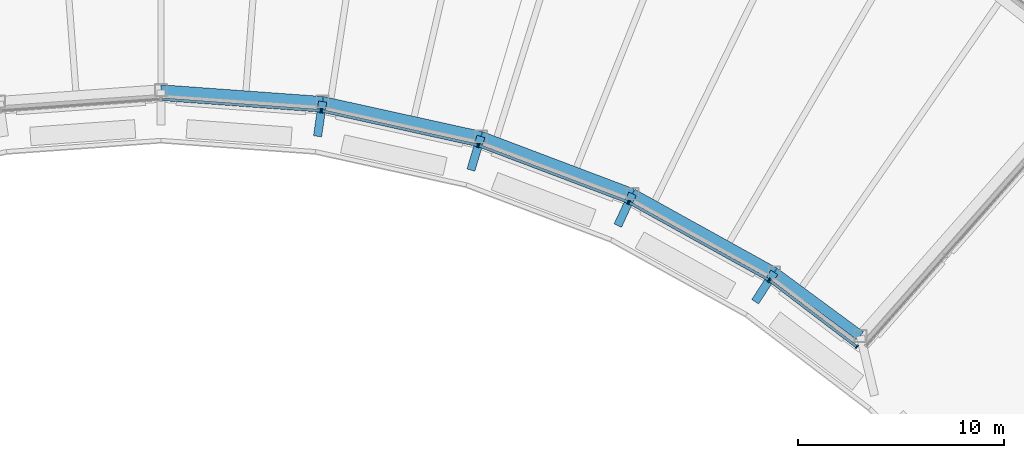
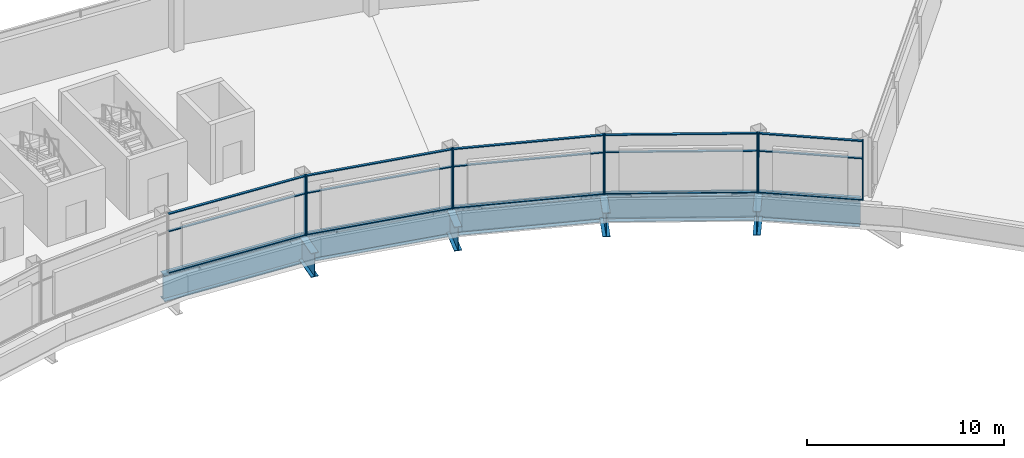
# One storey, part 7 of 17: 24 members, 9 beams, 5 elements without a shape of their own.
"""IFC4 building model written with IfcOpenShell, lengths in metres."""

from ifc_helpers import new_model, si_unit, direction, frame, origin, origin_2d, place, context, subcontext, project, spatial, rectangle, i_section, extrude, material, layer, layer_set, material_profile, profile_set, type_object, element, aggregate, save


model = new_model("IFC4")

# Units and contexts
model_context = context("Model", 3, precision=1e-05, world=origin(), true_north=direction((0.0, 1.0)))
body_context = subcontext(model_context, "Body", "Model", "MODEL_VIEW")
ifc_project = project(units=[si_unit("LENGTHUNIT", "METRE"), si_unit("AREAUNIT", "SQUARE_METRE"), si_unit("VOLUMEUNIT", "CUBIC_METRE"), si_unit("PLANEANGLEUNIT", "RADIAN"), si_unit("MASSUNIT", "GRAM", prefix="KILO")], contexts=[model_context])

# Site, building, storey
site_placement = place(None, origin())
site = spatial("IfcSite", under=ifc_project, at=site_placement, CompositionType="ELEMENT")
building_placement = place(site_placement, origin())
building = spatial("IfcBuilding", under=site, at=building_placement, Name="Tuul Gate Civic Tower", CompositionType="ELEMENT")
storey_placement = place(building_placement, frame((0.0, 0.0, 360.10009765625)))
storey = spatial("IfcBuildingStorey", under=building, at=storey_placement, Name="Crown tier 1 lower", CompositionType="ELEMENT", Elevation=360.10009765625)

# Curtain wall, member
ifc_material_1 = material(Name="Aluminium", Category="aluminium")
ifc_layer = layer(ifc_material_1, 0.199951171875)
ifc_layer_set = layer_set([ifc_layer], Name="Aluminium")
curtain_wall_type = type_object("IfcCurtainWallType", Name="Curtain wall CW5", PredefinedType="NOTDEFINED", material=ifc_layer_set)
curtain_wall_1_placement = place(storey_placement, origin())
curtain_wall_1 = element("IfcCurtainWall", 1, at=curtain_wall_1_placement, inside=storey, type_object=curtain_wall_type, Name="Curtain wall CW5", PredefinedType="NOTDEFINED")
ifc_material_2 = material(Name="Aluminium", Category="aluminium")
ifc_material_profile_1 = material_profile(ifc_material_2, rectangle(XDim=0.199951171875, YDim=0.06005859375, at=origin_2d()), Name="CW5 mullion")
ifc_profile_set_1 = profile_set([ifc_material_profile_1], Name="Aluminium")
member_type_1 = type_object("IfcMemberType", Name="CW5 mullion", PredefinedType="MULLION", material=ifc_profile_set_1)
member_1_placement = place(storey_placement, frame((9.9580078125, -6.536865234375, 0.0), z_axis=(0.0, 0.0, 1.0), x_axis=(0.072283482832, 0.997384127661, 0.0)))
member_1 = element("IfcMember", 2, at=member_1_placement, type_object=member_type_1, Name="Mullion", PredefinedType="MULLION", context=body_context, shape_type="SweptSolid", body=[
    extrude(rectangle(XDim=0.199951171875, YDim=0.06005859375, at=origin_2d()), origin(), (0.0, 0.0, 1.0), 3.699951171875),
])

# Curtain wall, members
curtain_wall_2_placement = place(storey_placement, origin())
curtain_wall_2 = element("IfcCurtainWall", 3, at=curtain_wall_2_placement, inside=storey, type_object=curtain_wall_type, Name="Curtain wall CW5", PredefinedType="NOTDEFINED")
member_2_placement = place(storey_placement, frame((10.017333984375, -6.54541015625, 0.0), z_axis=(0.0, 0.0, 1.0), x_axis=(0.215196143732, 0.976570847262, 0.0)))
member_2 = element("IfcMember", 4, at=member_2_placement, type_object=member_type_1, Name="Mullion", PredefinedType="MULLION", context=body_context, shape_type="SweptSolid", body=[
    extrude(rectangle(XDim=0.199951171875, YDim=0.06005859375, at=origin_2d()), origin(), (0.0, 0.0, 1.0), 3.699951171875),
])
member_3_placement = place(storey_placement, frame((17.591796875, -8.214599609375, 0.0), z_axis=(0.0, 0.0, 1.0), x_axis=(0.215196143732, 0.976570847262, 0.0)))
member_3 = element("IfcMember", 5, at=member_3_placement, type_object=member_type_1, Name="Mullion", PredefinedType="MULLION", context=body_context, shape_type="SweptSolid", body=[
    extrude(rectangle(XDim=0.199951171875, YDim=0.06005859375, at=origin_2d()), origin(), (0.0, 0.0, 1.0), 3.699951171875),
])

curtain_wall_3_placement = place(storey_placement, origin())
curtain_wall_3 = element("IfcCurtainWall", 6, at=curtain_wall_3_placement, inside=storey, type_object=curtain_wall_type, Name="Curtain wall CW5", PredefinedType="NOTDEFINED")
member_4_placement = place(storey_placement, frame((17.649169921875, -8.231689453125, 0.0), z_axis=(0.0, 0.0, 1.0), x_axis=(0.353743883051, 0.935342325143, 0.0)))
member_4 = element("IfcMember", 7, at=member_4_placement, type_object=member_type_1, Name="Mullion", PredefinedType="MULLION", context=body_context, shape_type="SweptSolid", body=[
    extrude(rectangle(XDim=0.199951171875, YDim=0.06005859375, at=origin_2d()), origin(), (0.0, 0.0, 1.0), 3.699951171875),
])
member_5_placement = place(storey_placement, frame((24.904052734375, -10.975341796875, 0.0), z_axis=(0.0, 0.0, 1.0), x_axis=(0.353743883051, 0.935342325143, 0.0)))
member_5 = element("IfcMember", 8, at=member_5_placement, type_object=member_type_1, Name="Mullion", PredefinedType="MULLION", context=body_context, shape_type="SweptSolid", body=[
    extrude(rectangle(XDim=0.199951171875, YDim=0.06005859375, at=origin_2d()), origin(), (0.0, 0.0, 1.0), 3.699951171875),
])

curtain_wall_4_placement = place(storey_placement, origin())
curtain_wall_4 = element("IfcCurtainWall", 9, at=curtain_wall_4_placement, inside=storey, type_object=curtain_wall_type, Name="Curtain wall CW5", PredefinedType="NOTDEFINED")
member_6_placement = place(storey_placement, frame((24.958251953125, -11.00048828125, 0.0), z_axis=(0.0, 0.0, 1.0), x_axis=(0.484784498431, 0.874633631917, 0.0)))
member_6 = element("IfcMember", 10, at=member_6_placement, type_object=member_type_1, Name="Mullion", PredefinedType="MULLION", context=body_context, shape_type="SweptSolid", body=[
    extrude(rectangle(XDim=0.199951171875, YDim=0.06005859375, at=origin_2d()), origin(), (0.0, 0.0, 1.0), 3.699951171875),
])
member_7_placement = place(storey_placement, frame((31.74169921875, -14.760498046875, 0.0), z_axis=(0.0, 0.0, 1.0), x_axis=(0.484784498431, 0.874633631917, 0.0)))
member_7 = element("IfcMember", 11, at=member_7_placement, type_object=member_type_1, Name="Mullion", PredefinedType="MULLION", context=body_context, shape_type="SweptSolid", body=[
    extrude(rectangle(XDim=0.199951171875, YDim=0.06005859375, at=origin_2d()), origin(), (0.0, 0.0, 1.0), 3.699951171875),
])

curtain_wall_5_placement = place(storey_placement, origin())
curtain_wall_5 = element("IfcCurtainWall", 12, at=curtain_wall_5_placement, inside=storey, type_object=curtain_wall_type, Name="Curtain wall CW5", PredefinedType="NOTDEFINED")
member_8_placement = place(storey_placement, frame((31.791748046875, -14.793212890625, 0.0), z_axis=(0.0, 0.0, 1.0), x_axis=(0.605752057949, 0.79565346998, 0.0)))
member_8 = element("IfcMember", 13, at=member_8_placement, type_object=member_type_1, Name="Mullion", PredefinedType="MULLION", context=body_context, shape_type="SweptSolid", body=[
    extrude(rectangle(XDim=0.199951171875, YDim=0.06005859375, at=origin_2d()), origin(), (0.0, 0.0, 1.0), 3.699951171875),
])
member_9_placement = place(storey_placement, frame((36.026123046875, -18.016845703125, 0.0), z_axis=(0.0, 0.0, 1.0), x_axis=(0.605752057949, 0.79565346998, 0.0)))
member_9 = element("IfcMember", 14, at=member_9_placement, type_object=member_type_1, Name="Mullion", PredefinedType="MULLION", context=body_context, shape_type="SweptSolid", body=[
    extrude(rectangle(XDim=0.199951171875, YDim=0.06005859375, at=origin_2d()), origin(), (0.0, 0.0, 1.0), 3.699951171875),
])

# Member
ifc_material_3 = material(Name="Aluminium", Category="aluminium")
ifc_material_profile_2 = material_profile(ifc_material_3, rectangle(XDim=0.139892578125, YDim=0.06005859375, at=origin_2d()), Name="CW5 transom")
ifc_profile_set_2 = profile_set([ifc_material_profile_2], Name="Aluminium")
member_type_2 = type_object("IfcMemberType", Name="CW5 transom", PredefinedType="USERDEFINED", material=ifc_profile_set_2)
member_10_placement = place(storey_placement, frame((2.251953125, -5.978271484375, 0.02978515625), z_axis=(0.997383437077, -0.072293011039, 0.0), x_axis=(0.072293011039, 0.997383437077, 0.0)))
member_10 = element("IfcMember", 15, at=member_10_placement, type_object=member_type_2, Name="Transom", ObjectType="TRANSOM", PredefinedType="USERDEFINED", context=body_context, shape_type="SweptSolid", body=[
    extrude(rectangle(XDim=0.139892578125, YDim=0.06005859375, at=origin_2d()), origin(), (0.0, 0.0, 1.0), 7.6962890625),
])

member_11_placement = place(storey_placement, frame((2.251953125, -5.978271484375, 2.599853515625), z_axis=(0.997383437077, -0.072293011039, 0.0), x_axis=(0.072293011039, 0.997383437077, 0.0)))
member_11 = element("IfcMember", 16, at=member_11_placement, type_object=member_type_2, Name="Transom", ObjectType="TRANSOM", PredefinedType="USERDEFINED", context=body_context, shape_type="SweptSolid", body=[
    extrude(rectangle(XDim=0.139892578125, YDim=0.06005859375, at=origin_2d()), origin(), (0.0, 0.0, 1.0), 7.6962890625),
])

member_12_placement = place(storey_placement, frame((2.251953125, -5.978271484375, 3.669921875), z_axis=(0.997383437077, -0.072293011039, 0.0), x_axis=(0.072293011039, 0.997383437077, 0.0)))
member_12 = element("IfcMember", 17, at=member_12_placement, type_object=member_type_2, Name="Transom", ObjectType="TRANSOM", PredefinedType="USERDEFINED", context=body_context, shape_type="SweptSolid", body=[
    extrude(rectangle(XDim=0.139892578125, YDim=0.06005859375, at=origin_2d()), origin(), (0.0, 0.0, 1.0), 7.6962890625),
])

aggregate(curtain_wall_1, [member_1, member_10, member_11, member_12])

member_13_placement = place(storey_placement, frame((10.046630859375, -6.552001953125, 0.02978515625), z_axis=(0.976575852415, -0.215173428843, 0.0), x_axis=(0.215173428843, 0.976575852415, 0.0)))
member_13 = element("IfcMember", 18, at=member_13_placement, type_object=member_type_2, Name="Transom", ObjectType="TRANSOM", PredefinedType="USERDEFINED", context=body_context, shape_type="SweptSolid", body=[
    extrude(rectangle(XDim=0.139892578125, YDim=0.06005859375, at=origin_2d()), origin(), (0.0, 0.0, 1.0), 7.696044921875),
])

member_14_placement = place(storey_placement, frame((10.046630859375, -6.552001953125, 2.599853515625), z_axis=(0.976575852415, -0.215173428843, 0.0), x_axis=(0.215173428843, 0.976575852415, 0.0)))
member_14 = element("IfcMember", 19, at=member_14_placement, type_object=member_type_2, Name="Transom", ObjectType="TRANSOM", PredefinedType="USERDEFINED", context=body_context, shape_type="SweptSolid", body=[
    extrude(rectangle(XDim=0.139892578125, YDim=0.06005859375, at=origin_2d()), origin(), (0.0, 0.0, 1.0), 7.696044921875),
])

member_15_placement = place(storey_placement, frame((10.046630859375, -6.552001953125, 3.669921875), z_axis=(0.976575852415, -0.215173428843, 0.0), x_axis=(0.215173428843, 0.976575852415, 0.0)))
member_15 = element("IfcMember", 20, at=member_15_placement, type_object=member_type_2, Name="Transom", ObjectType="TRANSOM", PredefinedType="USERDEFINED", context=body_context, shape_type="SweptSolid", body=[
    extrude(rectangle(XDim=0.139892578125, YDim=0.06005859375, at=origin_2d()), origin(), (0.0, 0.0, 1.0), 7.696044921875),
])

aggregate(curtain_wall_2, [member_2, member_3, member_13, member_14, member_15])

member_16_placement = place(storey_placement, frame((17.677001953125, -8.2421875, 0.02978515625), z_axis=(0.935341295839, -0.353746604646, 0.0), x_axis=(0.353746604646, 0.935341295839, 0.0)))
member_16 = element("IfcMember", 21, at=member_16_placement, type_object=member_type_2, Name="Transom", ObjectType="TRANSOM", PredefinedType="USERDEFINED", context=body_context, shape_type="SweptSolid", body=[
    extrude(rectangle(XDim=0.139892578125, YDim=0.06005859375, at=origin_2d()), origin(), (0.0, 0.0, 1.0), 7.696533203125),
])

member_17_placement = place(storey_placement, frame((17.677001953125, -8.2421875, 2.599853515625), z_axis=(0.935341295839, -0.353746604646, 0.0), x_axis=(0.353746604646, 0.935341295839, 0.0)))
member_17 = element("IfcMember", 22, at=member_17_placement, type_object=member_type_2, Name="Transom", ObjectType="TRANSOM", PredefinedType="USERDEFINED", context=body_context, shape_type="SweptSolid", body=[
    extrude(rectangle(XDim=0.139892578125, YDim=0.06005859375, at=origin_2d()), origin(), (0.0, 0.0, 1.0), 7.696533203125),
])

member_18_placement = place(storey_placement, frame((17.677001953125, -8.2421875, 3.669921875), z_axis=(0.935341295839, -0.353746604646, 0.0), x_axis=(0.353746604646, 0.935341295839, 0.0)))
member_18 = element("IfcMember", 23, at=member_18_placement, type_object=member_type_2, Name="Transom", ObjectType="TRANSOM", PredefinedType="USERDEFINED", context=body_context, shape_type="SweptSolid", body=[
    extrude(rectangle(XDim=0.139892578125, YDim=0.06005859375, at=origin_2d()), origin(), (0.0, 0.0, 1.0), 7.696533203125),
])

aggregate(curtain_wall_3, [member_4, member_5, member_16, member_17, member_18])

member_19_placement = place(storey_placement, frame((24.984375, -11.01513671875, 0.02978515625), z_axis=(0.874644656535, -0.484764607614, 0.0), x_axis=(0.484764607614, 0.874644656535, 0.0)))
member_19 = element("IfcMember", 24, at=member_19_placement, type_object=member_type_2, Name="Transom", ObjectType="TRANSOM", PredefinedType="USERDEFINED", context=body_context, shape_type="SweptSolid", body=[
    extrude(rectangle(XDim=0.139892578125, YDim=0.06005859375, at=origin_2d()), origin(), (0.0, 0.0, 1.0), 7.696044921875),
])

member_20_placement = place(storey_placement, frame((24.984375, -11.01513671875, 2.599853515625), z_axis=(0.874644656535, -0.484764607614, 0.0), x_axis=(0.484764607614, 0.874644656535, 0.0)))
member_20 = element("IfcMember", 25, at=member_20_placement, type_object=member_type_2, Name="Transom", ObjectType="TRANSOM", PredefinedType="USERDEFINED", context=body_context, shape_type="SweptSolid", body=[
    extrude(rectangle(XDim=0.139892578125, YDim=0.06005859375, at=origin_2d()), origin(), (0.0, 0.0, 1.0), 7.696044921875),
])

member_21_placement = place(storey_placement, frame((24.984375, -11.01513671875, 3.669921875), z_axis=(0.874644656535, -0.484764607614, 0.0), x_axis=(0.484764607614, 0.874644656535, 0.0)))
member_21 = element("IfcMember", 26, at=member_21_placement, type_object=member_type_2, Name="Transom", ObjectType="TRANSOM", PredefinedType="USERDEFINED", context=body_context, shape_type="SweptSolid", body=[
    extrude(rectangle(XDim=0.139892578125, YDim=0.06005859375, at=origin_2d()), origin(), (0.0, 0.0, 1.0), 7.696044921875),
])

aggregate(curtain_wall_4, [member_6, member_7, member_19, member_20, member_21])

member_22_placement = place(storey_placement, frame((31.815673828125, -14.811279296875, 0.02978515625), z_axis=(0.795658535859, -0.605745403874, 0.0), x_axis=(0.605745403874, 0.795658535859, 0.0)))
member_22 = element("IfcMember", 27, at=member_22_placement, type_object=member_type_2, Name="Transom", ObjectType="TRANSOM", PredefinedType="USERDEFINED", context=body_context, shape_type="SweptSolid", body=[
    extrude(rectangle(XDim=0.139892578125, YDim=0.06005859375, at=origin_2d()), origin(), (0.0, 0.0, 1.0), 5.26171875),
])

member_23_placement = place(storey_placement, frame((31.815673828125, -14.811279296875, 2.599853515625), z_axis=(0.795658535859, -0.605745403874, 0.0), x_axis=(0.605745403874, 0.795658535859, 0.0)))
member_23 = element("IfcMember", 28, at=member_23_placement, type_object=member_type_2, Name="Transom", ObjectType="TRANSOM", PredefinedType="USERDEFINED", context=body_context, shape_type="SweptSolid", body=[
    extrude(rectangle(XDim=0.139892578125, YDim=0.06005859375, at=origin_2d()), origin(), (0.0, 0.0, 1.0), 5.26171875),
])

member_24_placement = place(storey_placement, frame((31.815673828125, -14.811279296875, 3.669921875), z_axis=(0.795658535859, -0.605745403874, 0.0), x_axis=(0.605745403874, 0.795658535859, 0.0)))
member_24 = element("IfcMember", 29, at=member_24_placement, type_object=member_type_2, Name="Transom", ObjectType="TRANSOM", PredefinedType="USERDEFINED", context=body_context, shape_type="SweptSolid", body=[
    extrude(rectangle(XDim=0.139892578125, YDim=0.06005859375, at=origin_2d()), origin(), (0.0, 0.0, 1.0), 5.26171875),
])

aggregate(curtain_wall_5, [member_8, member_9, member_22, member_23, member_24])

# Beams
ifc_material_4 = material(Name="Steel S355", Category="steel")
ifc_material_profile_3 = material_profile(ifc_material_4, i_section(OverallWidth=0.39990234375, OverallDepth=1.5, WebThickness=0.02490234375, FlangeThickness=0.0400390625, at=origin_2d()), Name="PG1500x400x25x40")
ifc_profile_set_3 = profile_set([ifc_material_profile_3], Name="Steel S355")
beam_type_1 = type_object("IfcBeamType", Name="STR-FLOOR BEAM-PG1500x400x25x40", PredefinedType="BEAM", material=ifc_profile_set_3)
beam_1_placement = place(storey_placement, frame((9.80712890625, -7.780029296875, -1.050048828125), z_axis=(0.144125871942, 0.989559363069, 0.0), x_axis=(-0.989559363069, 0.144125871942, 0.0)))
element("IfcBeam", 30, at=beam_1_placement, inside=storey, type_object=beam_type_1, Name="Ring girder stub", PredefinedType="BEAM", context=body_context, shape_type="SweptSolid", body=[
    extrude(i_section(OverallWidth=0.39990234375, OverallDepth=1.5, WebThickness=0.02490234375, FlangeThickness=0.0400390625, at=origin_2d()), origin(), (0.0, 0.0, 1.0), 1.705810546875),
])
beam_2_placement = place(storey_placement, frame((17.263671875, -9.42236328125, -1.050048828125), z_axis=(0.285219145834, 0.958462330428, 0.0), x_axis=(-0.958462330428, 0.285219145834, 0.0)))
element("IfcBeam", 31, at=beam_2_placement, inside=storey, type_object=beam_type_1, Name="Ring girder stub", PredefinedType="BEAM", context=body_context, shape_type="SweptSolid", body=[
    extrude(i_section(OverallWidth=0.39990234375, OverallDepth=1.5, WebThickness=0.02490234375, FlangeThickness=0.0400390625, at=origin_2d()), origin(), (0.0, 0.0, 1.0), 1.705078125),
])
beam_3_placement = place(storey_placement, frame((24.405029296875, -12.123779296875, -1.050048828125), z_axis=(0.420337445241, 0.907367859321, 0.0), x_axis=(-0.907367859321, 0.420337445241, 0.0)))
element("IfcBeam", 32, at=beam_3_placement, inside=storey, type_object=beam_type_1, Name="Ring girder stub", PredefinedType="BEAM", context=body_context, shape_type="SweptSolid", body=[
    extrude(i_section(OverallWidth=0.39990234375, OverallDepth=1.5, WebThickness=0.02490234375, FlangeThickness=0.0400390625, at=origin_2d()), origin(), (0.0, 0.0, 1.0), 1.705810546875),
])
beam_4_placement = place(storey_placement, frame((31.0830078125, -15.82470703125, -1.050048828125), z_axis=(0.546577873779, 0.837408280288, 0.0), x_axis=(-0.837408280288, 0.546577873779, 0.0)))
element("IfcBeam", 33, at=beam_4_placement, inside=storey, type_object=beam_type_1, Name="Ring girder stub", PredefinedType="BEAM", context=body_context, shape_type="SweptSolid", body=[
    extrude(i_section(OverallWidth=0.39990234375, OverallDepth=1.5, WebThickness=0.02490234375, FlangeThickness=0.0400390625, at=origin_2d()), origin(), (0.0, 0.0, 1.0), 1.704833984375),
])
ifc_material_5 = material(Name="Steel S355", Category="steel")
ifc_material_profile_4 = material_profile(ifc_material_5, i_section(OverallWidth=0.5, OverallDepth=1.60009765625, WebThickness=0.02490234375, FlangeThickness=0.044921875, at=origin_2d()), Name="PG1600x500x25x45")
ifc_profile_set_4 = profile_set([ifc_material_profile_4], Name="Steel S355")
beam_type_2 = type_object("IfcBeamType", Name="STR-RING BEAM-PG1600x500x25x45", PredefinedType="BEAM", material=ifc_profile_set_4)
for number, where, z_axis, x_axis, name in (
    (34, (2.19189453125, -5.52294921875, -1.10009765625), (0.997389841842, -0.072204593973, 0.0), (0.072204593973, 0.997389841842, 0.0), "Ring girder"),
    (35, (10.052978515625, -6.092041015625, -1.10009765625), (0.976572521348, -0.215188546509, 0.0), (0.215188546509, 0.976572521348, 0.0), "Ring girder"),
    (36, (17.75, -7.7880859375, -1.10009765625), (0.935353022412, -0.353715596864, 0.0), (0.353715596864, 0.935353022412, 0.0), "Ring girder"),
):
    element("IfcBeam", number, at=place(storey_placement, frame(where, z_axis=z_axis, x_axis=x_axis)), inside=storey, type_object=beam_type_2, Name=name, PredefinedType="BEAM", context=body_context, shape_type="SweptSolid", body=[
        extrude(i_section(OverallWidth=0.5, OverallDepth=1.60009765625, WebThickness=0.02490234375, FlangeThickness=0.044921875, at=origin_2d()), origin(), (0.0, 0.0, 1.0), 7.881591796875),
    ])
beam_5_placement = place(storey_placement, frame((25.1220703125, -10.575927734375, -1.10009765625), z_axis=(0.874604041998, -0.484837879833, 0.0), x_axis=(0.484837879833, 0.874604041998, 0.0)))
element("IfcBeam", 37, at=beam_5_placement, inside=storey, type_object=beam_type_2, Name="Ring girder", PredefinedType="BEAM", context=body_context, shape_type="SweptSolid", body=[
    extrude(i_section(OverallWidth=0.5, OverallDepth=1.60009765625, WebThickness=0.02490234375, FlangeThickness=0.044921875, at=origin_2d()), origin(), (0.0, 0.0, 1.0), 7.881103515625),
])
beam_6_placement = place(storey_placement, frame((32.014892578125, -14.39697265625, -1.10009765625), z_axis=(0.804918942175, -0.593384779488, 0.0), x_axis=(0.593384779488, 0.804918942175, 0.0)))
element("IfcBeam", 38, at=beam_6_placement, inside=storey, type_object=beam_type_2, Name="Ring girder", PredefinedType="BEAM", context=body_context, shape_type="SweptSolid", body=[
    extrude(i_section(OverallWidth=0.5, OverallDepth=1.60009765625, WebThickness=0.02490234375, FlangeThickness=0.044921875, at=origin_2d()), origin(), (0.0, 0.0, 1.0), 5.20068359375),
])

save(model, "model.ifc")
